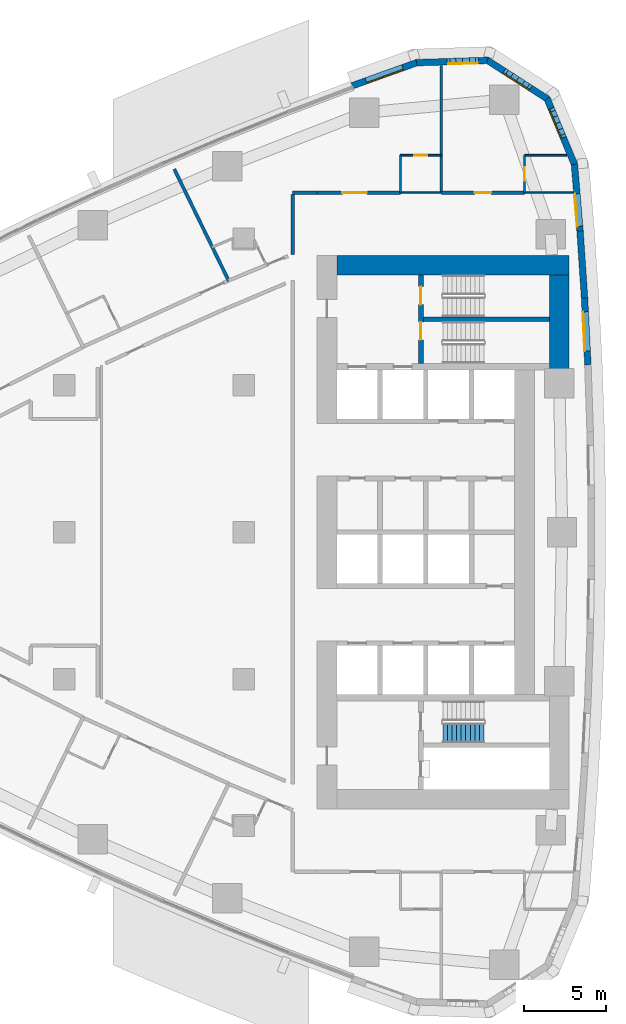
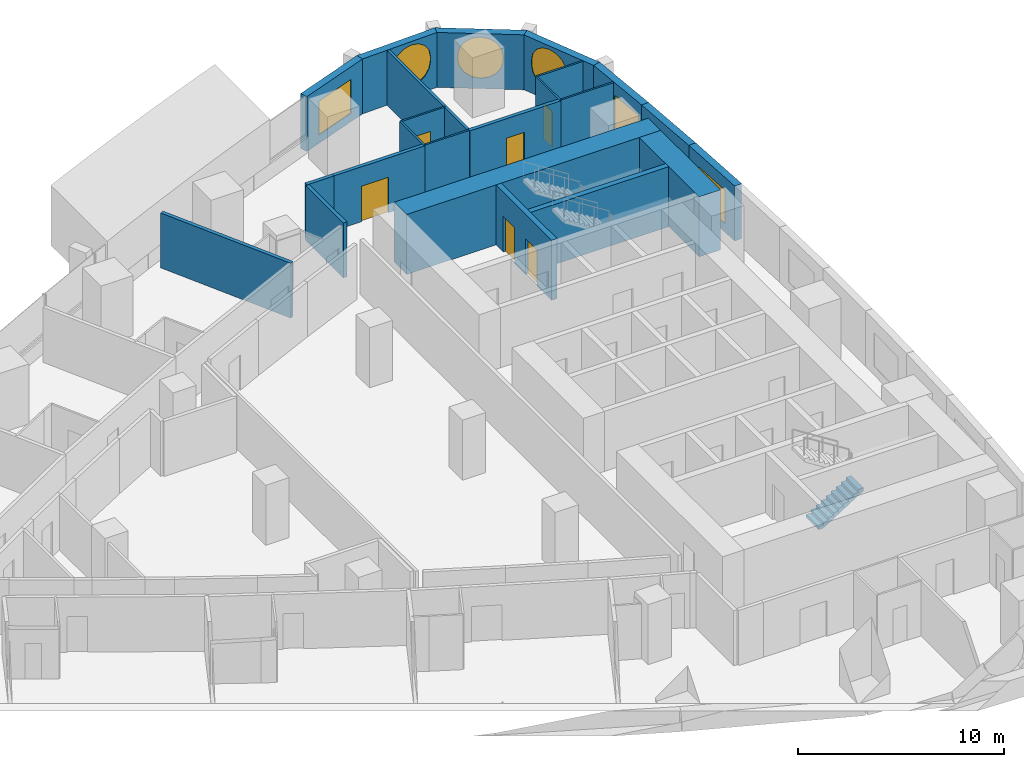
# One storey, part 13 of 19: 23 walls, 6 doors, 6 windows, 1 stair flight, 12 openings, 1 element without a shape of its own.
"""IFC4 building model written with IfcOpenShell, lengths in metres."""

from ifc_helpers import new_model, si_unit, direction, frame, frame_2d, origin, place, context, subcontext, project, spatial, polyline, rectangle, outline, extrude, material, layer, layer_set, type_object, element, fill, aggregate, save


model = new_model("IFC4")

# Units and contexts
model_context = context("Model", 3, precision=1e-05, world=origin(), true_north=direction((0.0, 1.0)))
body_context = subcontext(model_context, "Body", "Model", "MODEL_VIEW")
ifc_project = project(units=[si_unit("LENGTHUNIT", "METRE"), si_unit("AREAUNIT", "SQUARE_METRE"), si_unit("VOLUMEUNIT", "CUBIC_METRE"), si_unit("PLANEANGLEUNIT", "RADIAN"), si_unit("MASSUNIT", "GRAM", prefix="KILO")], contexts=[model_context])

# Site, building, storey
site_placement = place(None, origin())
site = spatial("IfcSite", under=ifc_project, at=site_placement, CompositionType="ELEMENT")
building_placement = place(site_placement, origin())
building = spatial("IfcBuilding", under=site, at=building_placement, Name="Ostrand Prow Hotel Tower", CompositionType="ELEMENT")
storey_placement = place(building_placement, frame((0.0, 0.0, 64.449951171875)))
storey = spatial("IfcBuildingStorey", under=building, at=storey_placement, Name="L14", CompositionType="ELEMENT", Elevation=64.449951171875)

# Walls
ifc_material_1 = material(Name="Concrete C80/95", Category="concrete")
ifc_layer_1 = layer(ifc_material_1, 1.199951171875)
ifc_layer_set_1 = layer_set([ifc_layer_1], Name="Concrete C80/95")
wall_type_1 = type_object("IfcWallType", Name="Core wall 1200 C80/95", PredefinedType="SHEAR", material=ifc_layer_set_1)
wall_1_placement = place(storey_placement, frame((50.699951171875, 16.35009765625, 0.0), z_axis=(0.0, 0.0, 1.0), x_axis=(1.0, 0.0, 0.0)))
element("IfcWall", 1, at=wall_1_placement, inside=storey, type_object=wall_type_1, Name="Core wall CW-N", PredefinedType="SHEAR", context=body_context, shape_type="SweptSolid", body=[
    extrude(rectangle(XDim=14.219970703125, YDim=1.199951171875, at=frame_2d((7.10986328125, 0.0))), origin(), (0.0, 0.0, 1.0), 3.550048828125),
])
wall_2_placement = place(storey_placement, frame((64.320068359375, 9.949951171875, 0.0), z_axis=(0.0, 0.0, 1.0), x_axis=(0.0, 1.0, 0.0)))
element("IfcWall", 2, at=wall_2_placement, inside=storey, type_object=wall_type_1, Name="Core wall CW-E-N", PredefinedType="SHEAR", context=body_context, shape_type="SweptSolid", body=[
    extrude(rectangle(XDim=5.800048828125, YDim=1.199951171875, at=frame_2d((2.89990234375, 0.0))), origin(), (0.0, 0.0, 1.0), 3.550048828125),
])

# Wall, openings, doors
ifc_material_2 = material(Name="Concrete C80/95", Category="concrete")
ifc_layer_2 = layer(ifc_material_2, 0.300048828125)
ifc_layer_set_2 = layer_set([ifc_layer_2], Name="Concrete C80/95")
wall_type_2 = type_object("IfcWallType", Name="Core wall 300 C80/95", PredefinedType="SHEAR", material=ifc_layer_set_2)
wall_3_placement = place(storey_placement, frame((55.85009765625, 10.35009765625, 0.0), z_axis=(0.0, 0.0, 1.0), x_axis=(0.0, 1.0, 0.0)))
wall_3 = element("IfcWall", 3, at=wall_3_placement, inside=storey, type_object=wall_type_2, Name="Core wall PW-VN", PredefinedType="SHEAR", context=body_context, shape_type="SweptSolid", body=[
    extrude(rectangle(XDim=5.39990234375, YDim=0.300048828125, at=frame_2d((2.699951171875, 0.0))), origin(), (0.0, 0.0, 1.0), 3.550048828125),
])
opening_1_placement = place(wall_3_placement, frame((1.429931640625, 0.0, 0.0)))
opening_1 = element("IfcOpeningElement", 4, at=opening_1_placement, cuts=wall_3, Name="Opening FD1", PredefinedType="OPENING", context=body_context, shape_type="SweptSolid", body=[
    extrude(rectangle(XDim=1.10009765625, YDim=2.10009765625, at=frame_2d((0.550048828125, 1.050048828125))), frame((0.0, 0.159912109375, 0.0), z_axis=(0.0, -1.0, 0.0), x_axis=(1.0, 0.0, 0.0)), (0.0, 0.0, 1.0), 0.320068359375),
])
opening_2_placement = place(wall_3_placement, frame((3.60009765625, 0.0, 0.0)))
opening_2 = element("IfcOpeningElement", 5, at=opening_2_placement, cuts=wall_3, Name="Opening FD1", PredefinedType="OPENING", context=body_context, shape_type="SweptSolid", body=[
    extrude(rectangle(XDim=1.10009765625, YDim=2.10009765625, at=frame_2d((0.550048828125, 1.050048828125))), frame((0.0, 0.159912109375, 0.0), z_axis=(0.0, -1.0, 0.0), x_axis=(1.0, 0.0, 0.0)), (0.0, 0.0, 1.0), 0.320068359375),
])
ifc_material_3 = material(Name="Steel fire door", Category="steel")
door_type_1 = type_object("IfcDoorType", Name="Fire door 1100 EI120", OperationType="SINGLE_SWING_RIGHT", PredefinedType="DOOR", material=ifc_material_3)
door_1_placement = place(opening_1_placement, origin())
door_1 = element("IfcDoor", 6, at=door_1_placement, inside=storey, type_object=door_type_1, Name="FIRE DOOR", OperationType="SINGLE_SWING_RIGHT", OverallHeight=2.10009765625, OverallWidth=1.10009765625, PredefinedType="DOOR", context=body_context, shape_type="SweptSolid", body=[
    extrude(rectangle(XDim=1.10009765625, YDim=2.10009765625, at=frame_2d((0.550048828125, 1.050048828125))), frame((0.0, 0.02490234375, 0.0), z_axis=(0.0, -1.0, 0.0), x_axis=(1.0, 0.0, 0.0)), (0.0, 0.0, 1.0), 0.050048828125),
])
fill(opening_1, door_1)
door_2_placement = place(opening_2_placement, origin())
door_2 = element("IfcDoor", 7, at=door_2_placement, inside=storey, type_object=door_type_1, Name="FIRE DOOR", OperationType="SINGLE_SWING_RIGHT", OverallHeight=2.10009765625, OverallWidth=1.10009765625, PredefinedType="DOOR", context=body_context, shape_type="SweptSolid", body=[
    extrude(rectangle(XDim=1.10009765625, YDim=2.10009765625, at=frame_2d((0.550048828125, 1.050048828125))), frame((0.0, 0.02490234375, 0.0), z_axis=(0.0, -1.0, 0.0), x_axis=(1.0, 0.0, 0.0)), (0.0, 0.0, 1.0), 0.050048828125),
])
fill(opening_2, door_2)

# Walls
wall_4_placement = place(storey_placement, frame((56.0, 13.050048828125, 0.0), z_axis=(0.0, 0.0, 1.0), x_axis=(1.0, 0.0, 0.0)))
element("IfcWall", 8, at=wall_4_placement, inside=storey, type_object=wall_type_2, Name="Core wall PW-ST13", PredefinedType="SHEAR", context=body_context, shape_type="SweptSolid", body=[
    extrude(rectangle(XDim=7.719970703125, YDim=0.300048828125, at=frame_2d((3.85986328125, 0.0))), origin(), (0.0, 0.0, 1.0), 3.550048828125),
])
ifc_material_4 = material(Name="Plasterboard partition")
ifc_layer_3 = layer(ifc_material_4, 0.10009765625)
ifc_layer_set_3 = layer_set([ifc_layer_3], Name="Plasterboard partition")
wall_type_3 = type_object("IfcWallType", Name="Partition 100 bathroom wall", PredefinedType="PARTITIONING", material=ifc_layer_set_3)
wall_5_placement = place(storey_placement, frame((54.601806640625, 20.800048828125, 0.0), z_axis=(0.0, 0.0, 1.0), x_axis=(0.0, 1.0, 0.0)))
element("IfcWall", 9, at=wall_5_placement, inside=storey, type_object=wall_type_3, Name="BATHROOM WALL", PredefinedType="PARTITIONING", context=body_context, shape_type="SweptSolid", body=[
    extrude(rectangle(XDim=2.300048828125, YDim=0.10009765625, at=frame_2d((1.14990234375, 0.0))), origin(), (0.0, 0.0, 1.0), 3.25),
])

# Wall, opening, door
wall_6_placement = place(storey_placement, frame((54.601806640625, 23.10009765625, 0.0), z_axis=(0.0, 0.0, 1.0), x_axis=(1.0, 0.0, 0.0)))
wall_6 = element("IfcWall", 10, at=wall_6_placement, inside=storey, type_object=wall_type_3, Name="BATHROOM WALL", PredefinedType="PARTITIONING", context=body_context, shape_type="SweptSolid", body=[
    extrude(rectangle(XDim=2.5, YDim=0.10009765625, at=frame_2d((1.25, 0.0))), origin(), (0.0, 0.0, 1.0), 3.25),
])
opening_3_placement = place(wall_6_placement, frame((0.85009765625, 0.0, 0.0)))
opening_3 = element("IfcOpeningElement", 11, at=opening_3_placement, cuts=wall_6, Name="Opening D2", PredefinedType="OPENING", context=body_context, shape_type="SweptSolid", body=[
    extrude(rectangle(XDim=0.800048828125, YDim=2.10009765625, at=frame_2d((0.39990234375, 1.050048828125))), frame((0.0, 0.06005859375, 0.0), z_axis=(0.0, -1.0, 0.0), x_axis=(1.0, 0.0, 0.0)), (0.0, 0.0, 1.0), 0.1201171875),
])
ifc_material_5 = material(Name="Timber door leaf", Category="wood")
door_type_2 = type_object("IfcDoorType", Name="Bathroom door 800", OperationType="SINGLE_SWING_LEFT", PredefinedType="DOOR", material=ifc_material_5)
door_3_placement = place(opening_3_placement, origin())
door_3 = element("IfcDoor", 12, at=door_3_placement, inside=storey, type_object=door_type_2, Name="DOOR", OperationType="SINGLE_SWING_LEFT", OverallHeight=2.10009765625, OverallWidth=0.800048828125, PredefinedType="DOOR", context=body_context, shape_type="SweptSolid", body=[
    extrude(rectangle(XDim=0.800048828125, YDim=2.10009765625, at=frame_2d((0.39990234375, 1.050048828125))), frame((0.0, 0.02490234375, 0.0), z_axis=(0.0, -1.0, 0.0), x_axis=(1.0, 0.0, 0.0)), (0.0, 0.0, 1.0), 0.050048828125),
])
fill(opening_3, door_3)

wall_7_placement = place(storey_placement, frame((62.203369140625, 20.800048828125, 0.0), z_axis=(0.0, 0.0, 1.0), x_axis=(0.0, 1.0, 0.0)))
wall_7 = element("IfcWall", 13, at=wall_7_placement, inside=storey, type_object=wall_type_3, Name="BATHROOM WALL", PredefinedType="PARTITIONING", context=body_context, shape_type="SweptSolid", body=[
    extrude(rectangle(XDim=2.300048828125, YDim=0.10009765625, at=frame_2d((1.14990234375, 0.0))), origin(), (0.0, 0.0, 1.0), 3.25),
])
opening_4_placement = place(wall_7_placement, frame((0.75, 0.0, 0.0)))
opening_4 = element("IfcOpeningElement", 14, at=opening_4_placement, cuts=wall_7, Name="Opening D2", PredefinedType="OPENING", context=body_context, shape_type="SweptSolid", body=[
    extrude(rectangle(XDim=0.800048828125, YDim=2.10009765625, at=frame_2d((0.39990234375, 1.050048828125))), frame((0.0, 0.06005859375, 0.0), z_axis=(0.0, -1.0, 0.0), x_axis=(1.0, 0.0, 0.0)), (0.0, 0.0, 1.0), 0.1201171875),
])
door_4_placement = place(opening_4_placement, origin())
door_4 = element("IfcDoor", 15, at=door_4_placement, inside=storey, type_object=door_type_2, Name="DOOR", OperationType="SINGLE_SWING_LEFT", OverallHeight=2.10009765625, OverallWidth=0.800048828125, PredefinedType="DOOR", context=body_context, shape_type="SweptSolid", body=[
    extrude(rectangle(XDim=0.800048828125, YDim=2.10009765625, at=frame_2d((0.39990234375, 1.050048828125))), frame((0.0, 0.02490234375, 0.0), z_axis=(0.0, -1.0, 0.0), x_axis=(1.0, 0.0, 0.0)), (0.0, 0.0, 1.0), 0.050048828125),
])
fill(opening_4, door_4)

# Walls
wall_8_placement = place(storey_placement, frame((62.203369140625, 23.10009765625, 0.0), z_axis=(0.0, 0.0, 1.0), x_axis=(1.0, 0.0, 0.0)))
element("IfcWall", 16, at=wall_8_placement, inside=storey, type_object=wall_type_3, Name="BATHROOM WALL", PredefinedType="PARTITIONING", context=body_context, shape_type="SweptSolid", body=[
    extrude(rectangle(XDim=2.578125, YDim=0.10009765625, at=frame_2d((1.2890625, 0.0))), origin(), (0.0, 0.0, 1.0), 3.25),
])
wall_9_placement = place(storey_placement, frame((57.101806640625, 20.804931640625, 0.0), z_axis=(0.0, 0.0, 1.0), x_axis=(-1.0, 0.0, 0.0)))
element("IfcWall", 17, at=wall_9_placement, inside=storey, type_object=wall_type_3, Name="BATHROOM WALL", PredefinedType="PARTITIONING", context=body_context, shape_type="SweptSolid", body=[
    extrude(rectangle(XDim=2.5, YDim=0.10009765625, at=frame_2d((1.25, 0.0))), origin(), (0.0, 0.0, 1.0), 3.25),
])
wall_10_placement = place(storey_placement, frame((65.174560546875, 20.804931640625, 0.0), z_axis=(0.0, 0.0, 1.0), x_axis=(-1.0, 0.0, 0.0)))
element("IfcWall", 18, at=wall_10_placement, inside=storey, type_object=wall_type_3, Name="BATHROOM WALL", PredefinedType="PARTITIONING", context=body_context, shape_type="SweptSolid", body=[
    extrude(rectangle(XDim=2.97119140625, YDim=0.10009765625, at=frame_2d((1.485595703125, 0.0))), origin(), (0.0, 0.0, 1.0), 3.25),
])
ifc_material_6 = material(Name="Plasterboard partition")
ifc_layer_4 = layer(ifc_material_6, 0.14990234375)
ifc_layer_set_4 = layer_set([ifc_layer_4], Name="Plasterboard partition")
wall_type_4 = type_object("IfcWallType", Name="Partition 150 room partition", PredefinedType="PARTITIONING", material=ifc_layer_set_4)
wall_11_placement = place(storey_placement, frame((57.101806640625, 20.800048828125, 0.0), z_axis=(0.0, 0.0, 1.0), x_axis=(0.0, 1.0, 0.0)))
element("IfcWall", 19, at=wall_11_placement, inside=storey, type_object=wall_type_4, Name="ROOM PARTITION", PredefinedType="PARTITIONING", context=body_context, shape_type="SweptSolid", body=[
    extrude(rectangle(XDim=7.786865234375, YDim=0.14990234375, at=frame_2d((3.8935546875, 0.0))), origin(), (0.0, 0.0, 1.0), 3.25),
])

# Wall, opening, door
ifc_material_7 = material(Name="Plasterboard partition")
ifc_layer_5 = layer(ifc_material_7, 0.199951171875)
ifc_layer_set_5 = layer_set([ifc_layer_5], Name="Plasterboard partition")
wall_type_5 = type_object("IfcWallType", Name="Partition 200 corridor wall", PredefinedType="PARTITIONING", material=ifc_layer_set_5)
wall_12_placement = place(storey_placement, frame((54.5966796875, 20.804931640625, 0.0), z_axis=(0.0, 0.0, 1.0), x_axis=(-1.0, 0.0, 0.0)))
wall_12 = element("IfcWall", 20, at=wall_12_placement, inside=storey, type_object=wall_type_5, Name="CORRIDOR WALL", PredefinedType="PARTITIONING", context=body_context, shape_type="SweptSolid", body=[
    extrude(rectangle(XDim=5.0966796875, YDim=0.199951171875, at=frame_2d((2.54833984375, 0.0))), origin(), (0.0, 0.0, 1.0), 3.25),
])
opening_5_placement = place(wall_12_placement, frame((2.04833984375, 0.0, 0.0)))
opening_5 = element("IfcOpeningElement", 21, at=opening_5_placement, cuts=wall_12, Name="Opening D15", PredefinedType="OPENING", context=body_context, shape_type="SweptSolid", body=[
    extrude(rectangle(XDim=1.5, YDim=2.10009765625, at=frame_2d((0.75, 1.050048828125))), frame((0.0, 0.10986328125, 0.0), z_axis=(0.0, -1.0, 0.0), x_axis=(1.0, 0.0, 0.0)), (0.0, 0.0, 1.0), 0.219970703125),
])
ifc_material_8 = material(Name="Timber door leaf", Category="wood")
door_type_3 = type_object("IfcDoorType", Name="Double door 1500", OperationType="DOUBLE_DOOR_SINGLE_SWING", PredefinedType="DOOR", material=ifc_material_8)
door_5_placement = place(opening_5_placement, origin())
door_5 = element("IfcDoor", 22, at=door_5_placement, inside=storey, type_object=door_type_3, Name="DOOR", OperationType="DOUBLE_DOOR_SINGLE_SWING", OverallHeight=2.10009765625, OverallWidth=1.5, PredefinedType="DOOR", context=body_context, shape_type="SweptSolid", body=[
    extrude(rectangle(XDim=1.5, YDim=2.10009765625, at=frame_2d((0.75, 1.050048828125))), frame((0.0, 0.02490234375, 0.0), z_axis=(0.0, -1.0, 0.0), x_axis=(1.0, 0.0, 0.0)), (0.0, 0.0, 1.0), 0.050048828125),
])
fill(opening_5, door_5)

wall_13_placement = place(storey_placement, frame((62.1982421875, 20.804931640625, 0.0), z_axis=(0.0, 0.0, 1.0), x_axis=(-1.0, 0.0, 0.0)))
wall_13 = element("IfcWall", 23, at=wall_13_placement, inside=storey, type_object=wall_type_5, Name="CORRIDOR WALL", PredefinedType="PARTITIONING", context=body_context, shape_type="SweptSolid", body=[
    extrude(rectangle(XDim=5.091552734375, YDim=0.199951171875, at=frame_2d((2.5458984375, 0.0))), origin(), (0.0, 0.0, 1.0), 3.25),
])
opening_6_placement = place(wall_13_placement, frame((2.0458984375, 0.0, 0.0)))
opening_6 = element("IfcOpeningElement", 24, at=opening_6_placement, cuts=wall_13, Name="Opening D1R", PredefinedType="OPENING", context=body_context, shape_type="SweptSolid", body=[
    extrude(rectangle(XDim=1.0, YDim=2.10009765625, at=frame_2d((0.5, 1.050048828125))), frame((0.0, 0.10986328125, 0.0), z_axis=(0.0, -1.0, 0.0), x_axis=(1.0, 0.0, 0.0)), (0.0, 0.0, 1.0), 0.219970703125),
])
ifc_material_9 = material(Name="Timber door leaf", Category="wood")
door_type_4 = type_object("IfcDoorType", Name="Guest room door 1000 right", OperationType="SINGLE_SWING_RIGHT", PredefinedType="DOOR", material=ifc_material_9)
door_6_placement = place(opening_6_placement, origin())
door_6 = element("IfcDoor", 25, at=door_6_placement, inside=storey, type_object=door_type_4, Name="DOOR", OperationType="SINGLE_SWING_RIGHT", OverallHeight=2.10009765625, OverallWidth=1.0, PredefinedType="DOOR", context=body_context, shape_type="SweptSolid", body=[
    extrude(rectangle(XDim=1.0, YDim=2.10009765625, at=frame_2d((0.5, 1.050048828125))), frame((0.0, 0.02490234375, 0.0), z_axis=(0.0, -1.0, 0.0), x_axis=(1.0, 0.0, 0.0)), (0.0, 0.0, 1.0), 0.050048828125),
])
fill(opening_6, door_6)

# Walls
wall_14_placement = place(storey_placement, frame((49.5, 20.804931640625, 0.0), z_axis=(0.0, 0.0, 1.0), x_axis=(-0.999998933031, -0.001460800259, 0.0)))
element("IfcWall", 26, at=wall_14_placement, inside=storey, type_object=wall_type_5, Name="CORRIDOR WALL", PredefinedType="PARTITIONING", context=body_context, shape_type="SweptSolid", body=[
    extrude(rectangle(XDim=1.504150390625, YDim=0.199951171875, at=frame_2d((0.751953125, 0.0))), origin(), (0.0, 0.0, 1.0), 3.25),
])
wall_15_placement = place(storey_placement, frame((47.995849609375, 20.682861328125, 0.0), z_axis=(0.0, 0.0, 1.0), x_axis=(0.000801763623, -0.999999678587, 0.0)))
element("IfcWall", 27, at=wall_15_placement, inside=storey, type_object=wall_type_5, Name="CORRIDOR WALL", PredefinedType="PARTITIONING", context=body_context, shape_type="SweptSolid", body=[
    extrude(rectangle(XDim=3.654052734375, YDim=0.199951171875, at=frame_2d((1.8271484375, 0.0))), origin(), (0.0, 0.0, 1.0), 3.25),
])
ifc_material_10 = material(Name="Plasterboard partition")
ifc_layer_6 = layer(ifc_material_10, 0.199951171875)
ifc_layer_set_6 = layer_set([ifc_layer_6], Name="Plasterboard partition")
wall_type_6 = type_object("IfcWallType", Name="Partition 200 key partition", PredefinedType="PARTITIONING", material=ifc_layer_set_6)
wall_16_placement = place(storey_placement, frame((44.080322265625, 15.402587890625, 0.0), z_axis=(0.0, 0.0, 1.0), x_axis=(-0.438196739796, 0.898879089328, 0.0)))
element("IfcWall", 28, at=wall_16_placement, inside=storey, type_object=wall_type_6, Name="KEY PARTITION", PredefinedType="PARTITIONING", context=body_context, shape_type="SweptSolid", body=[
    extrude(rectangle(XDim=7.611083984375, YDim=0.199951171875, at=frame_2d((3.8056640625, 0.0))), origin(), (0.0, 0.0, 1.0), 3.25),
])

# Wall, opening, window
ifc_material_11 = material(Name="Precast concrete C40/50", Category="concrete")
ifc_layer_7 = layer(ifc_material_11, 0.39990234375)
ifc_layer_set_7 = layer_set([ifc_layer_7], Name="Precast concrete C40/50")
wall_type_7 = type_object("IfcWallType", Name="Stone-faced precast wall 400 mm", PredefinedType="NOTDEFINED", material=ifc_layer_set_7)
wall_17_placement = place(storey_placement, frame((66.084716796875, 10.259765625, 0.0), z_axis=(0.0, 0.0, 1.0), x_axis=(-0.050314326423, 0.998733432181, 0.0)))
wall_17 = element("IfcWall", 29, at=wall_17_placement, inside=storey, type_object=wall_type_7, Name="Stone-faced wall back 13", PredefinedType="NOTDEFINED", context=body_context, shape_type="SweptSolid", body=[
    extrude(outline(polyline([(-0.001708984375, -0.199951171875), (4.106689453125, -0.199951171875), (4.103271484375, 0.199951171875), (0.001708984375, 0.199951171875), (-0.001708984375, -0.199951171875)])), origin(), (0.0, 0.0, 1.0), 3.25),
])
opening_7_placement = place(wall_17_placement, frame((0.8525390625, 0.0, 0.5)))
opening_7 = element("IfcOpeningElement", 30, at=opening_7_placement, cuts=wall_17, Name="Opening WA1", PredefinedType="OPENING", context=body_context, shape_type="SweptSolid", body=[
    extrude(rectangle(XDim=2.39990234375, YDim=2.0, at=frame_2d((1.199951171875, 1.0))), frame((0.0, 0.2099609375, 0.0), z_axis=(0.0, -1.0, 0.0), x_axis=(1.0, 0.0, 0.0)), (0.0, 0.0, 1.0), 0.419921875),
])
ifc_material_12 = material(Name="Insulated glass in bronze frame", Category="glass")
window_type_1 = type_object("IfcWindowType", Name="Amenity picture window 2400x2000", PartitioningType="SINGLE_PANEL", PredefinedType="WINDOW", material=ifc_material_12)
window_1_placement = place(opening_7_placement, origin())
window_1 = element("IfcWindow", 31, at=window_1_placement, inside=storey, type_object=window_type_1, Name="Window back 13.1", OverallHeight=2.0, OverallWidth=2.39990234375, PartitioningType="SINGLE_PANEL", PredefinedType="WINDOW", context=body_context, shape_type="SweptSolid", body=[
    extrude(rectangle(XDim=2.39990234375, YDim=2.0, at=frame_2d((1.199951171875, 1.0))), frame((0.0, 0.169921875, 0.0), z_axis=(0.0, -1.0, 0.0), x_axis=(1.0, 0.0, 0.0)), (0.0, 0.0, 1.0), 0.06005859375),
])
fill(opening_7, window_1)

# Wall
wall_18_placement = place(storey_placement, frame((65.878173828125, 14.359619140625, 0.0), z_axis=(0.0, 0.0, 1.0), x_axis=(-0.067087430225, 0.997747100575, 0.0)))
element("IfcWall", 32, at=wall_18_placement, inside=storey, type_object=wall_type_7, Name="Stone-faced wall back 14", PredefinedType="NOTDEFINED", context=body_context, shape_type="SweptSolid", body=[
    extrude(outline(polyline([(-0.001708984375, -0.199951171875), (4.106689453125, -0.199951171875), (4.103271484375, 0.199951171875), (0.001708984375, 0.199951171875), (-0.001708984375, -0.199951171875)])), origin(), (0.0, 0.0, 1.0), 3.25),
])

# Wall, opening, window
wall_19_placement = place(storey_placement, frame((65.602783203125, 18.455322265625, 0.0), z_axis=(0.0, 0.0, 1.0), x_axis=(-0.083793550906, 0.996483136248, 0.0)))
wall_19 = element("IfcWall", 33, at=wall_19_placement, inside=storey, type_object=wall_type_7, Name="Stone-faced wall back 15", PredefinedType="NOTDEFINED", context=body_context, shape_type="SweptSolid", body=[
    extrude(outline(polyline([(-0.001708984375, -0.199951171875), (4.136474609375, -0.199951171875), (4.073974609375, 0.199951171875), (0.001708984375, 0.199951171875), (-0.001708984375, -0.199951171875)])), origin(), (0.0, 0.0, 1.0), 3.25),
])
opening_8_placement = place(wall_19_placement, frame((0.288330078125, 0.0, 0.5)))
opening_8 = element("IfcOpeningElement", 34, at=opening_8_placement, cuts=wall_19, Name="Opening WA1-20", PredefinedType="OPENING", context=body_context, shape_type="SweptSolid", body=[
    extrude(rectangle(XDim=2.0, YDim=2.0, at=frame_2d((1.0, 1.0))), frame((0.0, 0.2099609375, 0.0), z_axis=(0.0, -1.0, 0.0), x_axis=(1.0, 0.0, 0.0)), (0.0, 0.0, 1.0), 0.419921875),
])
ifc_material_13 = material(Name="Insulated glass in bronze frame", Category="glass")
window_type_2 = type_object("IfcWindowType", Name="Amenity picture window 2000x2000", PartitioningType="SINGLE_PANEL", PredefinedType="WINDOW", material=ifc_material_13)
window_2_placement = place(opening_8_placement, origin())
window_2 = element("IfcWindow", 35, at=window_2_placement, inside=storey, type_object=window_type_2, Name="Window back 15.1", OverallHeight=2.0, OverallWidth=2.0, PartitioningType="SINGLE_PANEL", PredefinedType="WINDOW", context=body_context, shape_type="SweptSolid", body=[
    extrude(rectangle(XDim=2.0, YDim=2.0, at=frame_2d((1.0, 1.0))), frame((0.0, 0.169921875, 0.0), z_axis=(0.0, -1.0, 0.0), x_axis=(1.0, 0.0, 0.0)), (0.0, 0.0, 1.0), 0.06005859375),
])
fill(opening_8, window_2)

wall_20_placement = place(storey_placement, frame((65.2587890625, 22.546142578125, 0.0), z_axis=(0.0, 0.0, 1.0), x_axis=(-0.384372042685, 0.923178277908, 0.0)))
wall_20 = element("IfcWall", 36, at=wall_20_placement, inside=storey, type_object=wall_type_7, Name="Stone-faced wall back 16", PredefinedType="NOTDEFINED", context=body_context, shape_type="SweptSolid", body=[
    extrude(outline(polyline([(-0.03125, -0.199951171875), (4.408203125, -0.199951171875), (4.283203125, 0.199951171875), (0.03125, 0.199951171875), (-0.03125, -0.199951171875)])), origin(), (0.0, 0.0, 1.0), 3.25),
])
opening_9_placement = place(wall_20_placement, frame((1.630615234375, 0.0, 0.60009765625)))
opening_9 = element("IfcOpeningElement", 37, at=opening_9_placement, cuts=wall_20, Name="Opening WP2", PredefinedType="OPENING", context=body_context, shape_type="SweptSolid", body=[
    extrude(outline(polyline([(0.0, 1.35009765625), (0.083740234375, 1.77099609375), (0.322265625, 2.127685546875), (0.678955078125, 2.3662109375), (1.10009765625, 2.449951171875), (1.52099609375, 2.3662109375), (1.877685546875, 2.127685546875), (2.1162109375, 1.77099609375), (2.199951171875, 1.35009765625), (2.199951171875, 1.10009765625), (2.1162109375, 0.678955078125), (1.877685546875, 0.322265625), (1.52099609375, 0.083740234375), (1.10009765625, 0.0), (0.678955078125, 0.083740234375), (0.322265625, 0.322265625), (0.083740234375, 0.678955078125), (0.0, 1.099853515625), (0.0, 1.35009765625)])), frame((0.0, 0.2099609375, 0.0), z_axis=(0.0, -1.0, 0.0), x_axis=(1.0, 0.0, 0.0)), (0.0, 0.0, 1.0), 0.419921875),
])
ifc_material_14 = material(Name="Insulated glass in bronze frame", Category="glass")
window_type_3 = type_object("IfcWindowType", Name="Round-ended prow lounge window 2200x2450", PartitioningType="SINGLE_PANEL", PredefinedType="WINDOW", material=ifc_material_14)
window_3_placement = place(opening_9_placement, origin())
window_3 = element("IfcWindow", 38, at=window_3_placement, inside=storey, type_object=window_type_3, Name="Window back 16.1", OverallHeight=2.449951171875, OverallWidth=2.199951171875, PartitioningType="SINGLE_PANEL", PredefinedType="WINDOW", context=body_context, shape_type="SweptSolid", body=[
    extrude(outline(polyline([(0.0, 1.35009765625), (0.083740234375, 1.77099609375), (0.322265625, 2.127685546875), (0.678955078125, 2.3662109375), (1.10009765625, 2.449951171875), (1.52099609375, 2.3662109375), (1.877685546875, 2.127685546875), (2.1162109375, 1.77099609375), (2.199951171875, 1.35009765625), (2.199951171875, 1.10009765625), (2.1162109375, 0.678955078125), (1.877685546875, 0.322265625), (1.52099609375, 0.083740234375), (1.10009765625, 0.0), (0.678955078125, 0.083740234375), (0.322265625, 0.322265625), (0.083740234375, 0.678955078125), (0.0, 1.099853515625), (0.0, 1.35009765625)])), frame((0.0, 0.169921875, 0.0), z_axis=(0.0, -1.0, 0.0), x_axis=(1.0, 0.0, 0.0)), (0.0, 0.0, 1.0), 0.06005859375),
])
fill(opening_9, window_3)

wall_21_placement = place(storey_placement, frame((63.58837890625, 26.55810546875, 0.0), z_axis=(0.0, 0.0, 1.0), x_axis=(-0.840937468718, 0.541132307025, 0.0)))
wall_21 = element("IfcWall", 39, at=wall_21_placement, inside=storey, type_object=wall_type_7, Name="Stone-faced wall back 17", PredefinedType="NOTDEFINED", context=body_context, shape_type="SweptSolid", body=[
    extrude(outline(polyline([(-0.0625, -0.199951171875), (4.40869140625, -0.199951171875), (4.28369140625, 0.199951171875), (0.0625, 0.199951171875), (-0.0625, -0.199951171875)])), origin(), (0.0, 0.0, 1.0), 3.25),
])
opening_10_placement = place(wall_21_placement, frame((1.072998046875, 0.0, 0.60009765625)))
opening_10 = element("IfcOpeningElement", 40, at=opening_10_placement, cuts=wall_21, Name="Opening WP2", PredefinedType="OPENING", context=body_context, shape_type="SweptSolid", body=[
    extrude(outline(polyline([(0.0, 1.35009765625), (0.083740234375, 1.77099609375), (0.322265625, 2.127685546875), (0.678955078125, 2.3662109375), (1.10009765625, 2.449951171875), (1.52099609375, 2.3662109375), (1.877685546875, 2.127685546875), (2.1162109375, 1.77099609375), (2.199951171875, 1.35009765625), (2.199951171875, 1.10009765625), (2.1162109375, 0.678955078125), (1.877685546875, 0.322265625), (1.52099609375, 0.083740234375), (1.10009765625, 0.0), (0.678955078125, 0.083740234375), (0.322265625, 0.322265625), (0.083740234375, 0.678955078125), (0.0, 1.099853515625), (0.0, 1.35009765625)])), frame((0.0, 0.2099609375, 0.0), z_axis=(0.0, -1.0, 0.0), x_axis=(1.0, 0.0, 0.0)), (0.0, 0.0, 1.0), 0.419921875),
])
window_4_placement = place(opening_10_placement, origin())
window_4 = element("IfcWindow", 41, at=window_4_placement, inside=storey, type_object=window_type_3, Name="Window back 17.1", OverallHeight=2.449951171875, OverallWidth=2.199951171875, PartitioningType="SINGLE_PANEL", PredefinedType="WINDOW", context=body_context, shape_type="SweptSolid", body=[
    extrude(outline(polyline([(0.0, 1.35009765625), (0.083740234375, 1.77099609375), (0.322265625, 2.127685546875), (0.678955078125, 2.3662109375), (1.10009765625, 2.449951171875), (1.52099609375, 2.3662109375), (1.877685546875, 2.127685546875), (2.1162109375, 1.77099609375), (2.199951171875, 1.35009765625), (2.199951171875, 1.10009765625), (2.1162109375, 0.678955078125), (1.877685546875, 0.322265625), (1.52099609375, 0.083740234375), (1.10009765625, 0.0), (0.678955078125, 0.083740234375), (0.322265625, 0.322265625), (0.083740234375, 0.678955078125), (0.0, 1.099853515625), (0.0, 1.35009765625)])), frame((0.0, 0.169921875, 0.0), z_axis=(0.0, -1.0, 0.0), x_axis=(1.0, 0.0, 0.0)), (0.0, 0.0, 1.0), 0.06005859375),
])
fill(opening_10, window_4)

wall_22_placement = place(storey_placement, frame((59.93359375, 28.909912109375, 0.0), z_axis=(0.0, 0.0, 1.0), x_axis=(-0.999463576228, -0.032749958686, 0.0)))
wall_22 = element("IfcWall", 42, at=wall_22_placement, inside=storey, type_object=wall_type_7, Name="Stone-faced wall back 18", PredefinedType="NOTDEFINED", context=body_context, shape_type="SweptSolid", body=[
    extrude(outline(polyline([(-0.0625, -0.199951171875), (4.377685546875, -0.199951171875), (4.314697265625, 0.199951171875), (0.0625, 0.199951171875), (-0.0625, -0.199951171875)])), origin(), (0.0, 0.0, 1.0), 3.25),
])
opening_11_placement = place(wall_22_placement, frame((0.421875, 0.0, 0.60009765625)))
opening_11 = element("IfcOpeningElement", 43, at=opening_11_placement, cuts=wall_22, Name="Opening WP2", PredefinedType="OPENING", context=body_context, shape_type="SweptSolid", body=[
    extrude(outline(polyline([(0.0, 1.35009765625), (0.083740234375, 1.77099609375), (0.322265625, 2.127685546875), (0.678955078125, 2.3662109375), (1.10009765625, 2.449951171875), (1.52099609375, 2.3662109375), (1.877685546875, 2.127685546875), (2.1162109375, 1.77099609375), (2.199951171875, 1.35009765625), (2.199951171875, 1.10009765625), (2.1162109375, 0.678955078125), (1.877685546875, 0.322265625), (1.52099609375, 0.083740234375), (1.10009765625, 0.0), (0.678955078125, 0.083740234375), (0.322265625, 0.322265625), (0.083740234375, 0.678955078125), (0.0, 1.099853515625), (0.0, 1.35009765625)])), frame((0.0, 0.2099609375, 0.0), z_axis=(0.0, -1.0, 0.0), x_axis=(1.0, 0.0, 0.0)), (0.0, 0.0, 1.0), 0.419921875),
])
window_5_placement = place(opening_11_placement, origin())
window_5 = element("IfcWindow", 44, at=window_5_placement, inside=storey, type_object=window_type_3, Name="Window back 18.1", OverallHeight=2.449951171875, OverallWidth=2.199951171875, PartitioningType="SINGLE_PANEL", PredefinedType="WINDOW", context=body_context, shape_type="SweptSolid", body=[
    extrude(outline(polyline([(0.0, 1.35009765625), (0.083740234375, 1.77099609375), (0.322265625, 2.127685546875), (0.678955078125, 2.3662109375), (1.10009765625, 2.449951171875), (1.52099609375, 2.3662109375), (1.877685546875, 2.127685546875), (2.1162109375, 1.77099609375), (2.199951171875, 1.35009765625), (2.199951171875, 1.10009765625), (2.1162109375, 0.678955078125), (1.877685546875, 0.322265625), (1.52099609375, 0.083740234375), (1.10009765625, 0.0), (0.678955078125, 0.083740234375), (0.322265625, 0.322265625), (0.083740234375, 0.678955078125), (0.0, 1.099853515625), (0.0, 1.35009765625)])), frame((0.0, 0.169921875, 0.0), z_axis=(0.0, -1.0, 0.0), x_axis=(1.0, 0.0, 0.0)), (0.0, 0.0, 1.0), 0.06005859375),
])
fill(opening_11, window_5)

wall_23_placement = place(storey_placement, frame((55.58984375, 28.767578125, 0.0), z_axis=(0.0, 0.0, 1.0), x_axis=(-0.941339752885, -0.337460323057, 0.0)))
wall_23 = element("IfcWall", 45, at=wall_23_placement, inside=storey, type_object=wall_type_7, Name="Stone-faced wall back 19", PredefinedType="NOTDEFINED", context=body_context, shape_type="SweptSolid", body=[
    extrude(outline(polyline([(-0.031494140625, -0.199951171875), (4.196044921875, -0.199951171875), (4.196044921875, 0.199951171875), (0.031494140625, 0.199951171875), (-0.031494140625, -0.199951171875)])), origin(), (0.0, 0.0, 1.0), 3.25),
])
opening_12_placement = place(wall_23_placement, frame((0.89794921875, 0.0, 0.5)))
opening_12 = element("IfcOpeningElement", 46, at=opening_12_placement, cuts=wall_23, Name="Opening WA1", PredefinedType="OPENING", context=body_context, shape_type="SweptSolid", body=[
    extrude(rectangle(XDim=2.39990234375, YDim=2.0, at=frame_2d((1.199951171875, 1.0))), frame((0.0, 0.2099609375, 0.0), z_axis=(0.0, -1.0, 0.0), x_axis=(1.0, 0.0, 0.0)), (0.0, 0.0, 1.0), 0.419921875),
])
window_6_placement = place(opening_12_placement, origin())
window_6 = element("IfcWindow", 47, at=window_6_placement, inside=storey, type_object=window_type_1, Name="Window back 19.1", OverallHeight=2.0, OverallWidth=2.39990234375, PartitioningType="SINGLE_PANEL", PredefinedType="WINDOW", context=body_context, shape_type="SweptSolid", body=[
    extrude(rectangle(XDim=2.39990234375, YDim=2.0, at=frame_2d((1.199951171875, 1.0))), frame((0.0, 0.169921875, 0.0), z_axis=(0.0, -1.0, 0.0), x_axis=(1.0, 0.0, 0.0)), (0.0, 0.0, 1.0), 0.06005859375),
])
fill(opening_12, window_6)

# Stair, stair flight
ifc_material_15 = material(Name="Concrete C40/50", Category="concrete")
stair_type = type_object("IfcStairType", Name="Exit stair 1200 upper zone", PredefinedType="HALF_TURN_STAIR", material=ifc_material_15)
stair_placement = place(storey_placement, origin())
stair = element("IfcStair", 48, at=stair_placement, inside=storey, type_object=stair_type, Name="L14 ST2C", PredefinedType="HALF_TURN_STAIR")
ifc_material_16 = material(Name="Concrete C40/50", Category="concrete")
stair_flight_type = type_object("IfcStairFlightType", Name="Stair flight 1200 concrete", PredefinedType="STRAIGHT", material=ifc_material_16)
stair_flight_placement = place(storey_placement, frame((57.199951171875, -12.300048828125, 0.0), z_axis=(0.0, 0.0, 1.0), x_axis=(1.0, 0.0, 0.0)))
stair_flight = element("IfcStairFlight", 49, at=stair_flight_placement, type_object=stair_flight_type, Name="ST2C flight 1", NumberOfRisers=10, NumberOfTreads=9, PredefinedType="STRAIGHT", RiserHeight=0.1775, TreadLength=0.28, context=body_context, shape_type="SweptSolid", body=[
    extrude(outline(polyline([(0.0, 0.0), (0.0, 0.177490234375), (0.280029296875, 0.177490234375), (0.280029296875, 0.35498046875), (0.56005859375, 0.35498046875), (0.56005859375, 0.532470703125), (0.840087890625, 0.532470703125), (0.840087890625, 0.7099609375), (1.1201171875, 0.7099609375), (1.1201171875, 0.887451171875), (1.39990234375, 0.887451171875), (1.39990234375, 1.06494140625), (1.679931640625, 1.06494140625), (1.679931640625, 1.242431640625), (1.9599609375, 1.242431640625), (1.9599609375, 1.419921875), (2.239990234375, 1.419921875), (2.239990234375, 1.597412109375), (2.52001953125, 1.597412109375), (2.52001953125, 1.77490234375), (2.52001953125, 1.419921875), (0.280029296875, 0.0), (0.0, 0.0)])), frame((0.0, 0.60009765625, 0.0), z_axis=(0.0, -1.0, 0.0), x_axis=(1.0, 0.0, 0.0)), (0.0, 0.0, 1.0), 1.199951171875),
])
aggregate(stair, [stair_flight])

save(model, "model.ifc")
